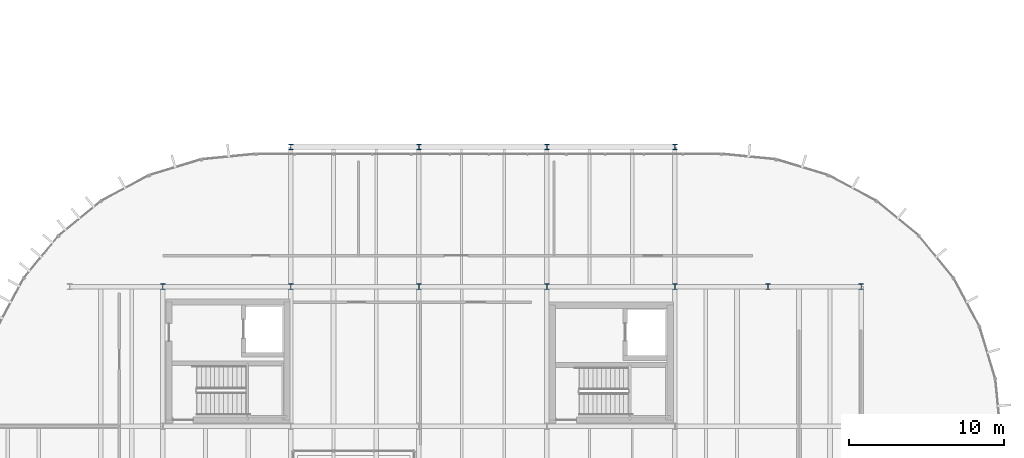
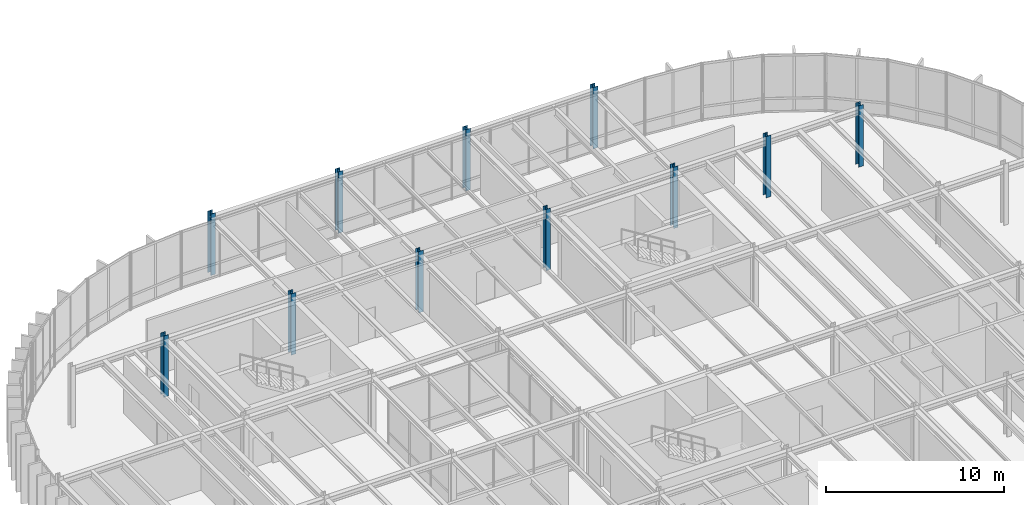
# One storey, part 4 of 31: 11 columns.
"""IFC4 building model written with IfcOpenShell, lengths in metres."""

from ifc_helpers import new_model, si_unit, direction, frame, origin, origin_2d, place, context, subcontext, project, spatial, i_section, extrude, material, material_profile, profile_set, type_object, element, save


model = new_model("IFC4")

# Units and contexts
model_context = context("Model", 3, precision=1e-05, world=origin(), true_north=direction((0.0, 1.0)))
body_context = subcontext(model_context, "Body", "Model", "MODEL_VIEW")
ifc_project = project(units=[si_unit("LENGTHUNIT", "METRE"), si_unit("AREAUNIT", "SQUARE_METRE"), si_unit("VOLUMEUNIT", "CUBIC_METRE"), si_unit("PLANEANGLEUNIT", "RADIAN"), si_unit("MASSUNIT", "GRAM", prefix="KILO")], contexts=[model_context])

# Site, building, storey
site_placement = place(None, origin())
site = spatial("IfcSite", under=ifc_project, at=site_placement, CompositionType="ELEMENT")
building_placement = place(site_placement, origin())
building = spatial("IfcBuilding", under=site, at=building_placement, Name="Montealbar Specialist Clinic", CompositionType="ELEMENT")
storey_placement = place(building_placement, frame((0.0, 0.0, 13.800048828125)))
storey = spatial("IfcBuildingStorey", under=building, at=storey_placement, Name="L03", CompositionType="ELEMENT", Elevation=13.800048828125)

# Columns
ifc_material = material(Name="Steel S355", Category="steel")
ifc_material_profile_1 = material_profile(ifc_material, i_section(OverallWidth=0.300048828125, OverallDepth=0.360107421875, WebThickness=0.012451171875, FlangeThickness=0.0224609375, FilletRadius=0.027099609375, at=origin_2d()), Name="HEB 360", Category="steel")
ifc_profile_set_1 = profile_set([ifc_material_profile_1], Name="Steel S355")
column_type_1 = type_object("IfcColumnType", Name="COL-S-L03-STD", PredefinedType="COLUMN", material=ifc_profile_set_1)
for number, where, z_axis, x_axis, name in (
    (1, (66.0, 36.0, 0.0), (0.0, 0.0, 1.0), (1.0, 0.0, 0.0), "Column 9/E L03"),
    (2, (74.25, 36.0, 0.0), (0.0, 0.0, 1.0), (1.0, 0.0, 0.0), "Column 10/E L03"),
    (3, (82.5, 36.0, 0.0), (0.0, 0.0, 1.0), (1.0, 0.0, 0.0), "Column 11/E L03"),
    (4, (90.75, 36.0, 0.0), (0.0, 0.0, 1.0), (1.0, 0.0, 0.0), "Column 12/E L03"),
    (5, (99.0, 36.0, 0.0), (0.0, 0.0, 1.0), (1.0, 0.0, 0.0), "Column 13/E L03"),
    (6, (105.0, 36.0, 0.0), (0.0, 0.0, 1.0), (1.0, 0.0, 0.0), "Column 14/E L03"),
    (7, (111.0, 36.0, 0.0), (0.0, 0.0, 1.0), (1.0, 0.0, 0.0), "Column 15/E L03"),
):
    element("IfcColumn", number, at=place(storey_placement, frame(where, z_axis=z_axis, x_axis=x_axis)), inside=storey, type_object=column_type_1, Name=name, PredefinedType="COLUMN", context=body_context, shape_type="SweptSolid", body=[
        extrude(i_section(OverallWidth=0.300048828125, OverallDepth=0.360107421875, WebThickness=0.012451171875, FlangeThickness=0.0224609375, FilletRadius=0.027099609375, at=origin_2d()), origin(), (0.0, 0.0, 1.0), 4.199951171875),
    ])
ifc_material_profile_2 = material_profile(ifc_material, i_section(OverallWidth=0.300048828125, OverallDepth=0.360107421875, WebThickness=0.012451171875, FlangeThickness=0.0224609375, FilletRadius=0.027099609375, at=origin_2d()), Name="HEB 360", Category="steel")
ifc_profile_set_2 = profile_set([ifc_material_profile_2], Name="Steel S355")
column_type_2 = type_object("IfcColumnType", Name="COL-S-L03-STD-EXT", PredefinedType="COLUMN", material=ifc_profile_set_2)
for number, where, z_axis, x_axis, name in (
    (8, (74.25, 45.0, 0.0), (0.0, 0.0, 1.0), (1.0, 0.0, 0.0), "Column 10/F L03"),
    (9, (82.5, 45.0, 0.0), (0.0, 0.0, 1.0), (1.0, 0.0, 0.0), "Column 11/F L03"),
    (10, (90.75, 45.0, 0.0), (0.0, 0.0, 1.0), (1.0, 0.0, 0.0), "Column 12/F L03"),
    (11, (99.0, 45.0, 0.0), (0.0, 0.0, 1.0), (1.0, 0.0, 0.0), "Column 13/F L03"),
):
    element("IfcColumn", number, at=place(storey_placement, frame(where, z_axis=z_axis, x_axis=x_axis)), inside=storey, type_object=column_type_2, Name=name, PredefinedType="COLUMN", context=body_context, shape_type="SweptSolid", body=[
        extrude(i_section(OverallWidth=0.300048828125, OverallDepth=0.360107421875, WebThickness=0.012451171875, FlangeThickness=0.0224609375, FilletRadius=0.027099609375, at=origin_2d()), origin(), (0.0, 0.0, 1.0), 4.199951171875),
    ])

save(model, "model.ifc")
